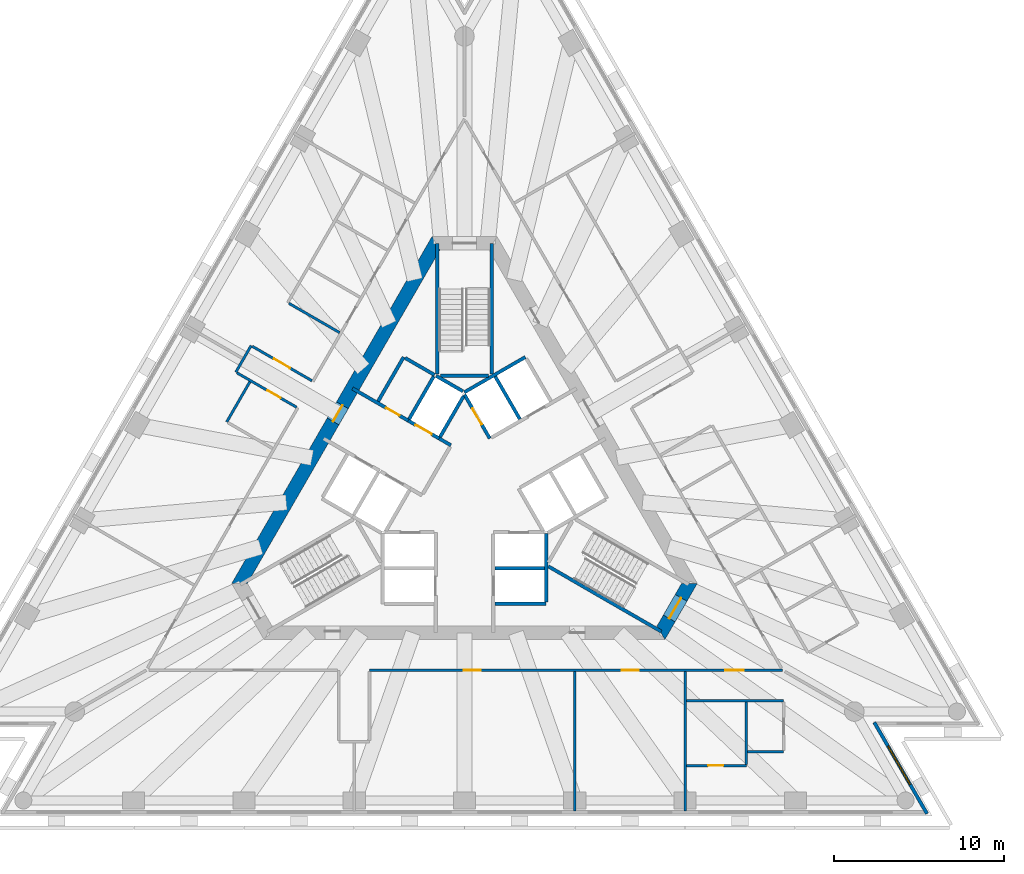
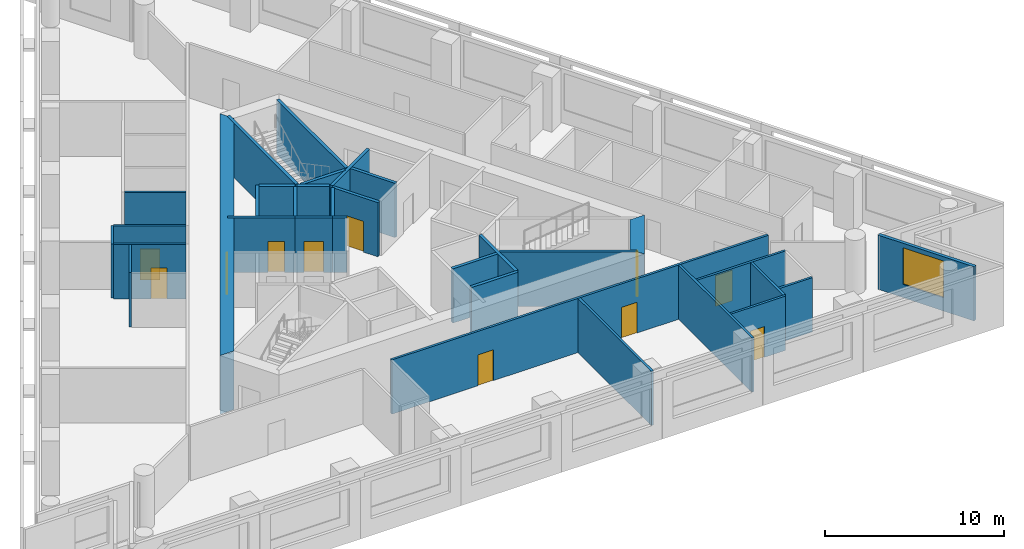
# One storey, part 4 of 9: 33 walls, 11 doors, 1 window, 12 openings.
"""IFC4 building model written with IfcOpenShell, lengths in metres."""

from ifc_helpers import new_model, si_unit, direction, frame, frame_2d, origin, place, context, subcontext, project, spatial, polyline, rectangle, outline, extrude, material, layer, layer_set, layer_usage, type_object, element, fill, save


model = new_model("IFC4")

# Units and contexts
model_context = context("Model", 3, precision=1e-05, world=origin(), true_north=direction((0.0, 1.0)))
body_context = subcontext(model_context, "Body", "Model", "MODEL_VIEW")
ifc_project = project(units=[si_unit("LENGTHUNIT", "METRE"), si_unit("AREAUNIT", "SQUARE_METRE"), si_unit("VOLUMEUNIT", "CUBIC_METRE"), si_unit("PLANEANGLEUNIT", "RADIAN"), si_unit("MASSUNIT", "GRAM", prefix="KILO")], contexts=[model_context])

# Site, building, storey
site_placement = place(None, origin())
site = spatial("IfcSite", under=ifc_project, at=site_placement, CompositionType="ELEMENT")
building_placement = place(site_placement, origin())
building = spatial("IfcBuilding", under=site, at=building_placement, Name="Triada Interchange Tower", CompositionType="ELEMENT")
storey_placement = place(building_placement, frame((0.0, 0.0, 172.300048828125)))
storey = spatial("IfcBuildingStorey", under=building, at=storey_placement, Name="L40", CompositionType="ELEMENT", Elevation=172.300048828125)

# Walls
ifc_material_1 = material(Name="Concrete C30/37", Category="concrete")
ifc_layer_1 = layer(ifc_material_1, 0.199951171875)
ifc_layer_set_1 = layer_set([ifc_layer_1], Name="CORE WALL 200 EI 120")
wall_type_1 = type_object("IfcWallType", Name="CORE WALL 200 EI 120", PredefinedType="SOLIDWALL", material=ifc_layer_set_1)
wall_1_placement = place(storey_placement, frame((1.800048828125, -6.89990234375, 0.0), z_axis=(0.0, 0.0, 1.0), x_axis=(1.0, 0.0, 0.0)))
element("IfcWall", 1, at=wall_1_placement, inside=storey, type_object=wall_type_1, Name="Wall L38 52", PredefinedType="SOLIDWALL", context=body_context, shape_type="SweptSolid", body=[
    extrude(rectangle(XDim=3.0, YDim=0.199951171875, at=frame_2d((1.5, 0.0))), origin(), (0.0, 0.0, 1.0), 3.699951171875),
])
wall_2_placement = place(storey_placement, frame((1.800048828125, -4.800048828125, 0.0), z_axis=(0.0, 0.0, 1.0), x_axis=(1.0, 0.0, 0.0)))
element("IfcWall", 2, at=wall_2_placement, inside=storey, type_object=wall_type_1, Name="Wall L38 54", PredefinedType="SOLIDWALL", context=body_context, shape_type="SweptSolid", body=[
    extrude(rectangle(XDim=2.89990234375, YDim=0.199951171875, at=frame_2d((1.449951171875, 0.0))), origin(), (0.0, 0.0, 1.0), 3.699951171875),
])
wall_3_placement = place(storey_placement, frame((-0.001953125, 5.5419921875, 0.0), z_axis=(0.0, 0.0, 1.0), x_axis=(0.866103910842, 0.499863997127, 0.0)))
element("IfcWall", 3, at=wall_3_placement, inside=storey, type_object=wall_type_1, Name="Wall L38 58", PredefinedType="SOLIDWALL", context=body_context, shape_type="SweptSolid", body=[
    extrude(rectangle(XDim=4.131103515625, YDim=0.199951171875, at=frame_2d((2.0654296875, 0.0))), origin(), (0.0, 0.0, 1.0), 3.699951171875),
])

# Wall, opening, door
wall_4_placement = place(storey_placement, frame((0.0, 5.39990234375, 0.0), z_axis=(0.0, 0.0, 1.0), x_axis=(0.500103862429, -0.865965430478, 0.0)))
wall_4 = element("IfcWall", 4, at=wall_4_placement, inside=storey, type_object=wall_type_1, Name="Wall L38 59", PredefinedType="SOLIDWALL", context=body_context, shape_type="SweptSolid", body=[
    extrude(rectangle(XDim=2.973388671875, YDim=0.199951171875, at=frame_2d((1.48681640625, 0.0))), origin(), (0.0, 0.0, 1.0), 3.699951171875),
])
opening_1_placement = place(wall_4_placement, frame((0.93701171875, 0.0, 0.0)))
opening_1 = element("IfcOpeningElement", 5, at=opening_1_placement, cuts=wall_4, Name="Opening LD-LR5", PredefinedType="OPENING", context=body_context, shape_type="SweptSolid", body=[
    extrude(rectangle(XDim=1.10009765625, YDim=2.10009765625, at=frame_2d((0.550048828125, 1.050048828125))), frame((0.0, 0.10986328125, 0.0), z_axis=(0.0, -1.0, 0.0), x_axis=(1.0, 0.0, 0.0)), (0.0, 0.0, 1.0), 0.219970703125),
])
ifc_material_2 = material(Name="Steel S235 door leaf", Category="steel")
door_type_1 = type_object("IfcDoorType", Name="LIFT LANDING DOOR 1100 EI 120", OperationType="SLIDING_TO_LEFT", PredefinedType="DOOR", material=ifc_material_2)
door_1_placement = place(opening_1_placement, origin())
door_1 = element("IfcDoor", 6, at=door_1_placement, inside=storey, type_object=door_type_1, Name="LR5 landing door L40", OperationType="SLIDING_TO_LEFT", OverallHeight=2.10009765625, OverallWidth=1.10009765625, PredefinedType="DOOR", context=body_context, shape_type="SweptSolid", body=[
    extrude(rectangle(XDim=1.10009765625, YDim=2.10009765625, at=frame_2d((0.550048828125, 1.050048828125))), frame((0.0, 0.02490234375, 0.0), z_axis=(0.0, -1.0, 0.0), x_axis=(1.0, 0.0, 0.0)), (0.0, 0.0, 1.0), 0.050048828125),
])
fill(opening_1, door_1)

# Walls
wall_5_placement = place(storey_placement, frame((4.800048828125, -6.800048828125, 0.0), z_axis=(0.0, 0.0, 1.0), x_axis=(0.0, 1.0, 0.0)))
element("IfcWall", 7, at=wall_5_placement, inside=storey, type_object=wall_type_1, Name="Wall L38 63", PredefinedType="SOLIDWALL", context=body_context, shape_type="SweptSolid", body=[
    extrude(rectangle(XDim=4.029052734375, YDim=0.199951171875, at=frame_2d((2.0146484375, 0.0))), origin(), (0.0, 0.0, 1.0), 3.699951171875),
])
wall_6_placement = place(storey_placement, frame((1.806884765625, 6.469970703125, 0.0), z_axis=(0.0, 0.0, 1.0), x_axis=(0.50012328804, -0.865954211699, 0.0)))
element("IfcWall", 8, at=wall_6_placement, inside=storey, type_object=wall_type_1, Name="Wall L38 66", PredefinedType="SOLIDWALL", context=body_context, shape_type="SweptSolid", body=[
    extrude(rectangle(XDim=2.899658203125, YDim=0.199951171875, at=frame_2d((1.44970703125, 0.0))), origin(), (0.0, 0.0, 1.0), 3.699951171875),
])

# Wall, opening, door
ifc_layer_2 = layer(ifc_material_1, 0.199951171875)
ifc_layer_set_2 = layer_set([ifc_layer_2], Name="CORE WALL 200 EI 180")
wall_type_2 = type_object("IfcWallType", Name="CORE WALL 200 EI 180", PredefinedType="SOLIDWALL", material=ifc_layer_set_2)
wall_7_placement = place(storey_placement, frame((-6.580078125, 5.761962890625, 0.0), z_axis=(0.0, 0.0, 1.0), x_axis=(0.866029704776, -0.49999255039, 0.0)))
wall_7 = element("IfcWall", 9, at=wall_7_placement, inside=storey, type_object=wall_type_2, Name="Wall L38 72", PredefinedType="SOLIDWALL", context=body_context, shape_type="SweptSolid", body=[
    extrude(rectangle(XDim=3.78173828125, YDim=0.199951171875, at=frame_2d((1.890869140625, 0.0))), origin(), (0.0, 0.0, 1.0), 3.699951171875),
])
opening_2_placement = place(wall_7_placement, frame((2.279052734375, 0.0, 0.0)))
opening_2 = element("IfcOpeningElement", 10, at=opening_2_placement, cuts=wall_7, Name="Opening D38-10", PredefinedType="OPENING", context=body_context, shape_type="SweptSolid", body=[
    extrude(rectangle(XDim=0.89990234375, YDim=2.10009765625, at=frame_2d((0.449951171875, 1.050048828125))), frame((0.0, 0.10986328125, 0.0), z_axis=(0.0, -1.0, 0.0), x_axis=(1.0, 0.0, 0.0)), (0.0, 0.0, 1.0), 0.219970703125),
])
door_type_2 = type_object("IfcDoorType", Name="SERVICE DOOR 900 EI2 90-C5S200", OperationType="NOTDEFINED", PredefinedType="DOOR", material=ifc_material_2)
door_2_placement = place(opening_2_placement, origin())
door_2 = element("IfcDoor", 11, at=door_2_placement, inside=storey, type_object=door_type_2, Name="Door D38-10 L40", OperationType="SINGLE_SWING_LEFT", OverallHeight=2.10009765625, OverallWidth=0.89990234375, PredefinedType="DOOR", context=body_context, shape_type="SweptSolid", body=[
    extrude(rectangle(XDim=0.89990234375, YDim=2.10009765625, at=frame_2d((0.449951171875, 1.050048828125))), frame((0.0, 0.02490234375, 0.0), z_axis=(0.0, -1.0, 0.0), x_axis=(1.0, 0.0, 0.0)), (0.0, 0.0, 1.0), 0.050048828125),
])
fill(opening_2, door_2)

# Walls
wall_8_placement = place(storey_placement, frame((-1.488037109375, 2.822021484375, 0.0), z_axis=(0.0, 0.0, 1.0), x_axis=(0.866236612152, -0.499633997809, 0.0)))
element("IfcWall", 12, at=wall_8_placement, inside=storey, type_object=wall_type_2, Name="Wall L38 73", PredefinedType="SOLIDWALL", context=body_context, shape_type="SweptSolid", body=[
    extrude(rectangle(XDim=0.79638671875, YDim=0.199951171875, at=frame_2d((0.398193359375, 0.0))), origin(), (0.0, 0.0, 1.0), 3.699951171875),
])
wall_9_placement = place(storey_placement, frame((-5.075927734375, 5.009033203125, 0.0), z_axis=(0.0, 0.0, 1.0), x_axis=(0.50002537861, 0.866010750942, 0.0)))
element("IfcWall", 13, at=wall_9_placement, inside=storey, type_object=wall_type_2, Name="Wall L38 74", PredefinedType="SOLIDWALL", context=body_context, shape_type="SweptSolid", body=[
    extrude(rectangle(XDim=2.999755859375, YDim=0.199951171875, at=frame_2d((1.5, 0.0))), origin(), (0.0, 0.0, 1.0), 3.699951171875),
])
wall_10_placement = place(storey_placement, frame((-3.489013671875, 7.556884765625, 0.0), z_axis=(0.0, 0.0, 1.0), x_axis=(0.866010750942, -0.50002537861, 0.0)))
element("IfcWall", 14, at=wall_10_placement, inside=storey, type_object=wall_type_2, Name="Wall L38 75", PredefinedType="SOLIDWALL", context=body_context, shape_type="SweptSolid", body=[
    extrude(rectangle(XDim=2.0, YDim=0.199951171875, at=frame_2d((1.0, 0.0))), origin(), (0.0, 0.0, 1.0), 3.699951171875),
])

# Wall, opening, door
wall_11_placement = place(storey_placement, frame((-3.30908203125, 3.873046875, 0.0), z_axis=(0.0, 0.0, 1.0), x_axis=(0.866098583652, -0.499873227325, 0.0)))
wall_11 = element("IfcWall", 15, at=wall_11_placement, inside=storey, type_object=wall_type_2, Name="Shaft wall FF2 L38 81", PredefinedType="SOLIDWALL", context=body_context, shape_type="SweptSolid", body=[
    extrude(rectangle(XDim=2.1025390625, YDim=0.199951171875, at=frame_2d((1.05126953125, 0.0))), origin(), (0.0, 0.0, 1.0), 3.699951171875),
])
opening_3_placement = place(wall_11_placement, frame((0.501953125, 0.0, 0.0)))
opening_3 = element("IfcOpeningElement", 16, at=opening_3_placement, cuts=wall_11, Name="Opening LD-FF2", PredefinedType="OPENING", context=body_context, shape_type="SweptSolid", body=[
    extrude(rectangle(XDim=1.10009765625, YDim=2.10009765625, at=frame_2d((0.550048828125, 1.050048828125))), frame((0.0, 0.10986328125, 0.0), z_axis=(0.0, -1.0, 0.0), x_axis=(1.0, 0.0, 0.0)), (0.0, 0.0, 1.0), 0.219970703125),
])
door_3_placement = place(opening_3_placement, origin())
door_3 = element("IfcDoor", 17, at=door_3_placement, inside=storey, type_object=door_type_1, Name="FF2 landing door L40", OperationType="SLIDING_TO_LEFT", OverallHeight=2.10009765625, OverallWidth=1.10009765625, PredefinedType="DOOR", context=body_context, shape_type="SweptSolid", body=[
    extrude(rectangle(XDim=1.10009765625, YDim=2.10009765625, at=frame_2d((0.550048828125, 1.050048828125))), frame((0.0, 0.02490234375, 0.0), z_axis=(0.0, -1.0, 0.0), x_axis=(1.0, 0.0, 0.0)), (0.0, 0.0, 1.0), 0.050048828125),
])
fill(opening_3, door_3)

# Walls
wall_12_placement = place(storey_placement, frame((-3.257080078125, 3.958984375, 0.0), z_axis=(0.0, 0.0, 1.0), x_axis=(0.50012328804, 0.865954211699, 0.0)))
element("IfcWall", 18, at=wall_12_placement, inside=storey, type_object=wall_type_2, Name="Shaft wall FF2 L38 82", PredefinedType="SOLIDWALL", context=body_context, shape_type="SweptSolid", body=[
    extrude(rectangle(XDim=2.899658203125, YDim=0.199951171875, at=frame_2d((1.44970703125, 0.0))), origin(), (0.0, 0.0, 1.0), 3.699951171875),
])
wall_13_placement = place(storey_placement, frame((-1.669921875, 6.507080078125, 0.0), z_axis=(0.0, 0.0, 1.0), x_axis=(0.865941441609, -0.500145398563, 0.0)))
element("IfcWall", 19, at=wall_13_placement, inside=storey, type_object=wall_type_2, Name="Shaft wall FF2 L38 83", PredefinedType="SOLIDWALL", context=body_context, shape_type="SweptSolid", body=[
    extrude(rectangle(XDim=1.8154296875, YDim=0.199951171875, at=frame_2d((0.90771484375, 0.0))), origin(), (0.0, 0.0, 1.0), 3.699951171875),
])
wall_14_placement = place(storey_placement, frame((-1.43798828125, 2.908935546875, 0.0), z_axis=(0.0, 0.0, 1.0), x_axis=(0.499829630636, 0.866123744241, 0.0)))
element("IfcWall", 20, at=wall_14_placement, inside=storey, type_object=wall_type_2, Name="Shaft wall FF2 L38 84", PredefinedType="SOLIDWALL", context=body_context, shape_type="SweptSolid", body=[
    extrude(rectangle(XDim=2.7607421875, YDim=0.199951171875, at=frame_2d((1.38037109375, 0.0))), origin(), (0.0, 0.0, 1.0), 3.699951171875),
])
ifc_layer_3 = layer(ifc_material_1, 0.199951171875)
ifc_layer_set_3 = layer_set([ifc_layer_3], Name="CORE WALL 200 REI 240")
wall_type_3 = type_object("IfcWallType", Name="CORE WALL 200 REI 240", PredefinedType="SOLIDWALL", material=ifc_layer_set_3)
wall_15_placement = place(storey_placement, frame((1.60009765625, 6.614990234375, 0.0), z_axis=(0.0, 0.0, 1.0), x_axis=(0.0, 1.0, 0.0)))
element("IfcWall", 21, at=wall_15_placement, inside=storey, type_object=wall_type_3, Name="Wall L38 88", PredefinedType="SOLIDWALL", context=body_context, shape_type="SweptSolid", body=[
    extrude(rectangle(XDim=7.6650390625, YDim=0.199951171875, at=frame_2d((3.83251953125, 0.0))), origin(), (0.0, 0.0, 1.0), 3.699951171875),
])
wall_16_placement = place(storey_placement, frame((-1.39990234375, 6.5, 0.0), z_axis=(0.0, 0.0, 1.0), x_axis=(1.0, 0.0, 0.0)))
element("IfcWall", 22, at=wall_16_placement, inside=storey, type_object=wall_type_3, Name="Wall L38 89", PredefinedType="SOLIDWALL", context=body_context, shape_type="SweptSolid", body=[
    extrude(rectangle(XDim=2.7998046875, YDim=0.199951171875, at=frame_2d((1.39990234375, 0.0))), origin(), (0.0, 0.0, 1.0), 3.699951171875),
])
for number, where, z_axis, x_axis, name in (
    (23, (-1.60009765625, 6.614990234375, 0.0), (0.0, 0.0, 1.0), (0.0, 1.0, 0.0), "Wall L38 90"),
    (24, (4.928955078125, -4.693115234375, 0.0), (0.0, 0.0, 1.0), (0.866005769735, -0.50003400563, 0.0), "Wall L38 91"),
):
    element("IfcWall", number, at=place(storey_placement, frame(where, z_axis=z_axis, x_axis=x_axis)), inside=storey, type_object=wall_type_3, Name=name, PredefinedType="SOLIDWALL", context=body_context, shape_type="SweptSolid", body=[
        extrude(rectangle(XDim=7.6650390625, YDim=0.199951171875, at=frame_2d((3.83251953125, 0.0))), origin(), (0.0, 0.0, 1.0), 3.699951171875),
    ])

# Wall, opening, door
ifc_material_3 = material(Name="Concrete C60/75", Category="concrete")
ifc_layer_4 = layer(ifc_material_3, 0.800048828125)
ifc_layer_set_4 = layer_set([ifc_layer_4], Name="Core wall B 800")
wall_type_4 = type_object("IfcWallType", Name="Core wall B 800", PredefinedType="SHEAR", material=ifc_layer_set_4)
wall_17_placement = place(storey_placement, frame((-1.674072265625, 14.300048828125, -0.300048828125), z_axis=(0.0, 0.0, 1.0), x_axis=(-0.499995765644, -0.866027848477, 0.0)))
wall_17 = element("IfcWall", 25, at=wall_17_placement, inside=storey, type_object=wall_type_4, Name="Core wall WB02 L40", PredefinedType="SHEAR", context=body_context, shape_type="SweptSolid", body=[
    extrude(outline(polyline([(-0.23095703125, -0.39990234375), (1.73193359375, -0.39990234375), (3.695068359375, -0.39990234375), (5.657958984375, -0.39990234375), (7.62109375, -0.39990234375), (9.583984375, -0.39990234375), (11.546875, -0.39990234375), (13.510009765625, -0.39990234375), (15.472900390625, -0.39990234375), (17.43603515625, -0.39990234375), (19.39892578125, -0.39990234375), (21.362060546875, -0.39990234375), (23.324951171875, -0.39990234375), (22.863037109375, 0.39990234375), (20.97705078125, 0.39990234375), (19.091064453125, 0.39990234375), (17.205078125, 0.39990234375), (15.319091796875, 0.39990234375), (13.43310546875, 0.39990234375), (11.546875, 0.39990234375), (9.660888671875, 0.39990234375), (7.77490234375, 0.39990234375), (5.888916015625, 0.39990234375), (4.0029296875, 0.39990234375), (2.116943359375, 0.39990234375), (0.23095703125, 0.39990234375), (-0.23095703125, -0.39990234375)])), origin(), (0.0, 0.0, 1.0), 4.0),
])
opening_4_placement = place(wall_17_placement, frame((10.9970703125, 0.0, 0.300048828125)))
opening_4 = element("IfcOpeningElement", 26, at=opening_4_placement, cuts=wall_17, Name="Opening D38-39", PredefinedType="OPENING", context=body_context, shape_type="SweptSolid", body=[
    extrude(rectangle(XDim=1.10009765625, YDim=2.10009765625, at=frame_2d((0.550048828125, 1.050048828125))), frame((0.0, 0.409912109375, 0.0), z_axis=(0.0, -1.0, 0.0), x_axis=(1.0, 0.0, 0.0)), (0.0, 0.0, 1.0), 0.820068359375),
])
door_type_3 = type_object("IfcDoorType", Name="FIRE LOBBY DOOR 1100 EI2 90-C5S200", OperationType="NOTDEFINED", PredefinedType="DOOR", material=ifc_material_2)
door_4_placement = place(opening_4_placement, origin())
door_4 = element("IfcDoor", 27, at=door_4_placement, inside=storey, type_object=door_type_3, Name="Door D38-39 L40", OperationType="SINGLE_SWING_LEFT", OverallHeight=2.10009765625, OverallWidth=1.10009765625, PredefinedType="DOOR", context=body_context, shape_type="SweptSolid", body=[
    extrude(rectangle(XDim=1.10009765625, YDim=2.10009765625, at=frame_2d((0.550048828125, 1.050048828125))), frame((0.0, 0.02490234375, 0.0), z_axis=(0.0, -1.0, 0.0), x_axis=(1.0, 0.0, 0.0)), (0.0, 0.0, 1.0), 0.050048828125),
])
fill(opening_4, door_4)

wall_18_placement = place(storey_placement, frame((11.547119140625, -8.60009765625, -0.300048828125), z_axis=(0.0, 0.0, 1.0), x_axis=(0.49987182685, 0.866099391942, 0.0)))
wall_18 = element("IfcWall", 28, at=wall_18_placement, inside=storey, type_object=wall_type_4, Name="Core wall WB05 L40", PredefinedType="SHEAR", context=body_context, shape_type="SweptSolid", body=[
    extrude(outline(polyline([(-0.23095703125, -0.39990234375), (1.674072265625, -0.39990234375), (3.5791015625, -0.39990234375), (3.117919921875, 0.39990234375), (1.67431640625, 0.39990234375), (0.23095703125, 0.39990234375), (-0.23095703125, -0.39990234375)])), origin(), (0.0, 0.0, 1.0), 4.0),
])
opening_5_placement = place(wall_18_placement, frame((0.97412109375, 0.0, 0.300048828125)))
opening_5 = element("IfcOpeningElement", 29, at=opening_5_placement, cuts=wall_18, Name="Opening D38-38", PredefinedType="OPENING", context=body_context, shape_type="SweptSolid", body=[
    extrude(rectangle(XDim=1.39990234375, YDim=2.10009765625, at=frame_2d((0.699951171875, 1.050048828125))), frame((0.0, 0.409912109375, 0.0), z_axis=(0.0, -1.0, 0.0), x_axis=(1.0, 0.0, 0.0)), (0.0, 0.0, 1.0), 0.820068359375),
])
door_type_4 = type_object("IfcDoorType", Name="STAIR DOOR 1400 EI2 90-C5S200", OperationType="DOUBLE_DOOR_SINGLE_SWING", PredefinedType="DOOR", material=ifc_material_2)
door_5_placement = place(opening_5_placement, origin())
door_5 = element("IfcDoor", 30, at=door_5_placement, inside=storey, type_object=door_type_4, Name="Door D38-38 L40", OperationType="DOUBLE_DOOR_SINGLE_SWING", OverallHeight=2.10009765625, OverallWidth=1.39990234375, PredefinedType="DOOR", context=body_context, shape_type="SweptSolid", body=[
    extrude(rectangle(XDim=1.39990234375, YDim=2.10009765625, at=frame_2d((0.699951171875, 1.050048828125))), frame((0.0, 0.02490234375, 0.0), z_axis=(0.0, -1.0, 0.0), x_axis=(1.0, 0.0, 0.0)), (0.0, 0.0, 1.0), 0.050048828125),
])
fill(opening_5, door_5)

# Wall, opening, window
ifc_material_4 = material(Name="Cement board")
ifc_layer_5 = layer(ifc_material_4, 0.02001953125, Name="Cement board cladding")
ifc_material_5 = material(Name="Sheathing board")
ifc_layer_6 = layer(ifc_material_5, 0.014892578125, Name="Sheathing board")
ifc_material_6 = material(Name="Mineral wool")
ifc_layer_7 = layer(ifc_material_6, 0.14990234375, Name="Mineral wool between steel studs")
ifc_material_7 = material(Name="Gypsum board")
ifc_layer_8 = layer(ifc_material_7, 0.014892578125, Name="Plasterboard lining")
ifc_layer_set_5 = layer_set([ifc_layer_5, ifc_layer_6, ifc_layer_7, ifc_layer_8], Name="External wall 200")
ifc_layer_usage = layer_usage(ifc_layer_set_5, "AXIS2", "POSITIVE", -0.10009765625)
wall_type_5 = type_object("IfcWallType", Name="External wall 200", PredefinedType="ELEMENTEDWALL", material=ifc_layer_set_5)
wall_19_placement = place(storey_placement, frame((27.18701171875, -19.23193359375, 0.0), z_axis=(0.0, 0.0, 1.0), x_axis=(-0.499932836684, 0.86606417707, 0.0)))
wall_19 = element("IfcWall", 31, at=wall_19_placement, inside=storey, type_object=wall_type_5, material=ifc_layer_usage, Name="External wall L40 SE-1", PredefinedType="ELEMENTEDWALL", context=body_context, shape_type="SweptSolid", body=[
    extrude(rectangle(XDim=6.194580078125, YDim=0.199951171875, at=frame_2d((3.09716796875, 0.0))), origin(), (0.0, 0.0, 1.0), 3.699951171875),
])
opening_6_placement = place(wall_19_placement, frame((1.989990234375, 0.0, 0.89990234375)))
opening_6 = element("IfcOpeningElement", 32, at=opening_6_placement, cuts=wall_19, Name="Opening WB19", PredefinedType="OPENING", context=body_context, shape_type="SweptSolid", body=[
    extrude(rectangle(XDim=2.60009765625, YDim=2.5, at=frame_2d((1.300048828125, 1.25))), frame((0.0, 0.10986328125, 0.0), z_axis=(0.0, -1.0, 0.0), x_axis=(1.0, 0.0, 0.0)), (0.0, 0.0, 1.0), 0.219970703125),
])
ifc_material_8 = material(Name="Double glazed aluminium window", Category="aluminium")
window_type = type_object("IfcWindowType", Name="Ribbon window B pocket", PartitioningType="SINGLE_PANEL", PredefinedType="WINDOW", material=ifc_material_8)
window_placement = place(opening_6_placement, origin())
window = element("IfcWindow", 33, at=window_placement, inside=storey, type_object=window_type, Name="Window L40 SE-1 1", OverallHeight=2.5, OverallWidth=2.60009765625, PartitioningType="SINGLE_PANEL", PredefinedType="WINDOW", context=body_context, shape_type="SweptSolid", body=[
    extrude(rectangle(XDim=2.60009765625, YDim=2.5, at=frame_2d((1.300048828125, 1.25))), frame((0.0, 0.030029296875, 0.0), z_axis=(0.0, -1.0, 0.0), x_axis=(1.0, 0.0, 0.0)), (0.0, 0.0, 1.0), 0.06005859375),
])
fill(opening_6, window)

# Wall, openings, doors
ifc_material_9 = material(Name="Gypsum board partition")
ifc_layer_9 = layer(ifc_material_9, 0.14990234375)
ifc_layer_set_6 = layer_set([ifc_layer_9], Name="PARTITION 150 EI 180")
wall_type_6 = type_object("IfcWallType", Name="PARTITION 150 EI 180", PredefinedType="PARTITIONING", material=ifc_layer_set_6)
wall_20_placement = place(storey_placement, frame((-5.5810546875, -10.800048828125, 0.0), z_axis=(0.0, 0.0, 1.0), x_axis=(1.0, 0.0, 0.0)))
wall_20 = element("IfcWall", 34, at=wall_20_placement, inside=storey, type_object=wall_type_6, Name="Wall L38 7", PredefinedType="PARTITIONING", context=body_context, shape_type="SweptSolid", body=[
    extrude(rectangle(XDim=24.287109375, YDim=0.14990234375, at=frame_2d((12.1435546875, 0.0))), origin(), (0.0, 0.0, 1.0), 3.699951171875),
])
opening_7_placement = place(wall_20_placement, frame((5.549072265625, 0.0, 0.0)))
opening_7 = element("IfcOpeningElement", 35, at=opening_7_placement, cuts=wall_20, Name="Opening D38-12", PredefinedType="OPENING", context=body_context, shape_type="SweptSolid", body=[
    extrude(rectangle(XDim=1.0, YDim=2.10009765625, at=frame_2d((0.5, 1.050048828125))), frame((0.0, 0.0849609375, 0.0), z_axis=(0.0, -1.0, 0.0), x_axis=(1.0, 0.0, 0.0)), (0.0, 0.0, 1.0), 0.169921875),
])
opening_8_placement = place(wall_20_placement, frame((14.81298828125, 0.0, 0.0)))
opening_8 = element("IfcOpeningElement", 36, at=opening_8_placement, cuts=wall_20, Name="Opening D38-13", PredefinedType="OPENING", context=body_context, shape_type="SweptSolid", body=[
    extrude(rectangle(XDim=1.0, YDim=2.10009765625, at=frame_2d((0.5, 1.050048828125))), frame((0.0, 0.0849609375, 0.0), z_axis=(0.0, -1.0, 0.0), x_axis=(1.0, 0.0, 0.0)), (0.0, 0.0, 1.0), 0.169921875),
])
opening_9_placement = place(wall_20_placement, frame((20.89501953125, 0.0, 0.0)))
opening_9 = element("IfcOpeningElement", 37, at=opening_9_placement, cuts=wall_20, Name="Opening D38-14", PredefinedType="OPENING", context=body_context, shape_type="SweptSolid", body=[
    extrude(rectangle(XDim=1.10009765625, YDim=2.10009765625, at=frame_2d((0.550048828125, 1.050048828125))), frame((0.0, 0.0849609375, 0.0), z_axis=(0.0, -1.0, 0.0), x_axis=(1.0, 0.0, 0.0)), (0.0, 0.0, 1.0), 0.169921875),
])
door_type_5 = type_object("IfcDoorType", Name="ROOM DOOR 1000 EI2 90-C5S200", OperationType="NOTDEFINED", PredefinedType="DOOR", material=ifc_material_2)
door_6_placement = place(opening_7_placement, origin())
door_6 = element("IfcDoor", 38, at=door_6_placement, inside=storey, type_object=door_type_5, Name="Door D38-12 L40", OperationType="SINGLE_SWING_RIGHT", OverallHeight=2.10009765625, OverallWidth=1.0, PredefinedType="DOOR", context=body_context, shape_type="SweptSolid", body=[
    extrude(rectangle(XDim=1.0, YDim=2.10009765625, at=frame_2d((0.5, 1.050048828125))), frame((0.0, 0.02490234375, 0.0), z_axis=(0.0, -1.0, 0.0), x_axis=(1.0, 0.0, 0.0)), (0.0, 0.0, 1.0), 0.050048828125),
])
fill(opening_7, door_6)
door_7_placement = place(opening_8_placement, origin())
door_7 = element("IfcDoor", 39, at=door_7_placement, inside=storey, type_object=door_type_5, Name="Door D38-13 L40", OperationType="SINGLE_SWING_RIGHT", OverallHeight=2.10009765625, OverallWidth=1.0, PredefinedType="DOOR", context=body_context, shape_type="SweptSolid", body=[
    extrude(rectangle(XDim=1.0, YDim=2.10009765625, at=frame_2d((0.5, 1.050048828125))), frame((0.0, 0.02490234375, 0.0), z_axis=(0.0, -1.0, 0.0), x_axis=(1.0, 0.0, 0.0)), (0.0, 0.0, 1.0), 0.050048828125),
])
fill(opening_8, door_7)
door_type_6 = type_object("IfcDoorType", Name="TENANCY ENTRANCE DOOR 1100 EI2 90-C5S200", OperationType="NOTDEFINED", PredefinedType="DOOR", material=ifc_material_2)
door_8_placement = place(opening_9_placement, origin())
door_8 = element("IfcDoor", 40, at=door_8_placement, inside=storey, type_object=door_type_6, Name="Door D38-14 L40", OperationType="SINGLE_SWING_LEFT", OverallHeight=2.10009765625, OverallWidth=1.10009765625, PredefinedType="DOOR", context=body_context, shape_type="SweptSolid", body=[
    extrude(rectangle(XDim=1.10009765625, YDim=2.10009765625, at=frame_2d((0.550048828125, 1.050048828125))), frame((0.0, 0.02490234375, 0.0), z_axis=(0.0, -1.0, 0.0), x_axis=(1.0, 0.0, 0.0)), (0.0, 0.0, 1.0), 0.050048828125),
])
fill(opening_9, door_8)

# Wall
wall_21_placement = place(storey_placement, frame((-13.43994140625, 6.719970703125, 0.0), z_axis=(0.0, 0.0, 1.0), x_axis=(0.499902469156, 0.866081705922, 0.0)))
element("IfcWall", 41, at=wall_21_placement, inside=storey, type_object=wall_type_6, Name="Wall L38 12", PredefinedType="PARTITIONING", context=body_context, shape_type="SweptSolid", body=[
    extrude(rectangle(XDim=1.800048828125, YDim=0.14990234375, at=frame_2d((0.89990234375, 0.0))), origin(), (0.0, 0.0, 1.0), 3.699951171875),
])

# Wall, opening, door
wall_22_placement = place(storey_placement, frame((-12.47509765625, 8.241943359375, 0.0), z_axis=(0.0, 0.0, 1.0), x_axis=(0.865955608197, -0.500120870022, 0.0)))
wall_22 = element("IfcWall", 42, at=wall_22_placement, inside=storey, type_object=wall_type_6, Name="Wall L38 13", PredefinedType="PARTITIONING", context=body_context, shape_type="SweptSolid", body=[
    extrude(rectangle(XDim=4.048828125, YDim=0.14990234375, at=frame_2d((2.0244140625, 0.0))), origin(), (0.0, 0.0, 1.0), 3.699951171875),
])
opening_10_placement = place(wall_22_placement, frame((1.47509765625, 0.0, 0.0)))
opening_10 = element("IfcOpeningElement", 43, at=opening_10_placement, cuts=wall_22, Name="Opening D38-28", PredefinedType="OPENING", context=body_context, shape_type="SweptSolid", body=[
    extrude(rectangle(XDim=1.10009765625, YDim=2.10009765625, at=frame_2d((0.550048828125, 1.050048828125))), frame((0.0, 0.0849609375, 0.0), z_axis=(0.0, -1.0, 0.0), x_axis=(1.0, 0.0, 0.0)), (0.0, 0.0, 1.0), 0.169921875),
])
door_9_placement = place(opening_10_placement, origin())
door_9 = element("IfcDoor", 44, at=door_9_placement, inside=storey, type_object=door_type_6, Name="Door D38-28 L40", OperationType="SINGLE_SWING_LEFT", OverallHeight=2.10009765625, OverallWidth=1.10009765625, PredefinedType="DOOR", context=body_context, shape_type="SweptSolid", body=[
    extrude(rectangle(XDim=1.10009765625, YDim=2.10009765625, at=frame_2d((0.550048828125, 1.050048828125))), frame((0.0, 0.02490234375, 0.0), z_axis=(0.0, -1.0, 0.0), x_axis=(1.0, 0.0, 0.0)), (0.0, 0.0, 1.0), 0.050048828125),
])
fill(opening_10, door_9)

wall_23_placement = place(storey_placement, frame((-13.375, 6.68310546875, 0.0), z_axis=(0.0, 0.0, 1.0), x_axis=(0.865929493314, -0.500166085025, 0.0)))
wall_23 = element("IfcWall", 45, at=wall_23_placement, inside=storey, type_object=wall_type_6, Name="Wall L38 14", PredefinedType="PARTITIONING", context=body_context, shape_type="SweptSolid", body=[
    extrude(rectangle(XDim=4.048828125, YDim=0.14990234375, at=frame_2d((2.0244140625, 0.0))), origin(), (0.0, 0.0, 1.0), 3.699951171875),
])
opening_11_placement = place(wall_23_placement, frame((2.074951171875, 0.0, 0.0)))
opening_11 = element("IfcOpeningElement", 46, at=opening_11_placement, cuts=wall_23, Name="Opening D38-33", PredefinedType="OPENING", context=body_context, shape_type="SweptSolid", body=[
    extrude(rectangle(XDim=0.89990234375, YDim=2.10009765625, at=frame_2d((0.449951171875, 1.050048828125))), frame((0.0, 0.0849609375, 0.0), z_axis=(0.0, -1.0, 0.0), x_axis=(1.0, 0.0, 0.0)), (0.0, 0.0, 1.0), 0.169921875),
])
door_type_7 = type_object("IfcDoorType", Name="ROOM DOOR 900 EI2 90-C5S200", OperationType="NOTDEFINED", PredefinedType="DOOR", material=ifc_material_2)
door_10_placement = place(opening_11_placement, origin())
door_10 = element("IfcDoor", 47, at=door_10_placement, inside=storey, type_object=door_type_7, Name="Door D38-33 L40", OperationType="SINGLE_SWING_RIGHT", OverallHeight=2.10009765625, OverallWidth=0.89990234375, PredefinedType="DOOR", context=body_context, shape_type="SweptSolid", body=[
    extrude(rectangle(XDim=0.89990234375, YDim=2.10009765625, at=frame_2d((0.449951171875, 1.050048828125))), frame((0.0, 0.02490234375, 0.0), z_axis=(0.0, -1.0, 0.0), x_axis=(1.0, 0.0, 0.0)), (0.0, 0.0, 1.0), 0.050048828125),
])
fill(opening_11, door_10)

# Walls
wall_24_placement = place(storey_placement, frame((-13.97412109375, 3.7958984375, 0.0), z_axis=(0.0, 0.0, 1.0), x_axis=(0.500004325324, 0.866022906543, 0.0)))
element("IfcWall", 48, at=wall_24_placement, inside=storey, type_object=wall_type_6, Name="Wall L38 15", PredefinedType="PARTITIONING", context=body_context, shape_type="SweptSolid", body=[
    extrude(rectangle(XDim=2.72412109375, YDim=0.14990234375, at=frame_2d((1.362060546875, 0.0))), origin(), (0.0, 0.0, 1.0), 3.699951171875),
])
wall_25_placement = place(storey_placement, frame((-10.323974609375, 10.76904296875, 0.0), z_axis=(0.0, 0.0, 1.0), x_axis=(0.866031223622, -0.49998991961, 0.0)))
element("IfcWall", 49, at=wall_25_placement, inside=storey, type_object=wall_type_6, Name="Wall L38 19", PredefinedType="PARTITIONING", context=body_context, shape_type="SweptSolid", body=[
    extrude(rectangle(XDim=3.4501953125, YDim=0.14990234375, at=frame_2d((1.72509765625, 0.0))), origin(), (0.0, 0.0, 1.0), 3.699951171875),
])
for number, where, z_axis, x_axis, name in (
    (50, (6.48193359375, -19.073974609375, 0.0), (0.0, 0.0, 1.0), (0.0, 1.0, 0.0), "Wall L38 30"),
    (51, (12.964111328125, -19.073974609375, 0.0), (0.0, 0.0, 1.0), (0.0, 1.0, 0.0), "Wall L38 35"),
):
    element("IfcWall", number, at=place(storey_placement, frame(where, z_axis=z_axis, x_axis=x_axis)), inside=storey, type_object=wall_type_6, Name=name, PredefinedType="PARTITIONING", context=body_context, shape_type="SweptSolid", body=[
        extrude(rectangle(XDim=8.198974609375, YDim=0.14990234375, at=frame_2d((4.099609375, 0.0))), origin(), (0.0, 0.0, 1.0), 3.699951171875),
    ])

# Wall, opening, door
ifc_layer_10 = layer(ifc_material_9, 0.14990234375)
ifc_layer_set_7 = layer_set([ifc_layer_10], Name="PARTITION 150 EI 90")
wall_type_7 = type_object("IfcWallType", Name="PARTITION 150 EI 90", PredefinedType="PARTITIONING", material=ifc_layer_set_7)
wall_26_placement = place(storey_placement, frame((13.0390625, -16.39990234375, 0.0), z_axis=(0.0, 0.0, 1.0), x_axis=(1.0, 0.0, 0.0)))
wall_26 = element("IfcWall", 52, at=wall_26_placement, inside=storey, type_object=wall_type_7, Name="Wall L38 39", PredefinedType="PARTITIONING", context=body_context, shape_type="SweptSolid", body=[
    extrude(rectangle(XDim=3.52490234375, YDim=0.14990234375, at=frame_2d((1.762451171875, 0.0))), origin(), (0.0, 0.0, 1.0), 3.699951171875),
])
opening_12_placement = place(wall_26_placement, frame((1.27490234375, 0.0, 0.0)))
opening_12 = element("IfcOpeningElement", 53, at=opening_12_placement, cuts=wall_26, Name="Opening D38-15", PredefinedType="OPENING", context=body_context, shape_type="SweptSolid", body=[
    extrude(rectangle(XDim=0.89990234375, YDim=2.10009765625, at=frame_2d((0.449951171875, 1.050048828125))), frame((0.0, 0.0849609375, 0.0), z_axis=(0.0, -1.0, 0.0), x_axis=(1.0, 0.0, 0.0)), (0.0, 0.0, 1.0), 0.169921875),
])
door_type_8 = type_object("IfcDoorType", Name="ROOM DOOR 900 EI2 45-C5S200", OperationType="NOTDEFINED", PredefinedType="DOOR", material=ifc_material_2)
door_11_placement = place(opening_12_placement, origin())
door_11 = element("IfcDoor", 54, at=door_11_placement, inside=storey, type_object=door_type_8, Name="Door D38-15 L40", OperationType="SINGLE_SWING_LEFT", OverallHeight=2.10009765625, OverallWidth=0.89990234375, PredefinedType="DOOR", context=body_context, shape_type="SweptSolid", body=[
    extrude(rectangle(XDim=0.89990234375, YDim=2.10009765625, at=frame_2d((0.449951171875, 1.050048828125))), frame((0.0, 0.02490234375, 0.0), z_axis=(0.0, -1.0, 0.0), x_axis=(1.0, 0.0, 0.0)), (0.0, 0.0, 1.0), 0.050048828125),
])
fill(opening_12, door_11)

# Walls
wall_27_placement = place(storey_placement, frame((16.56396484375, -16.324951171875, 0.0), z_axis=(0.0, 0.0, 1.0), x_axis=(0.0, 1.0, 0.0)))
element("IfcWall", 55, at=wall_27_placement, inside=storey, type_object=wall_type_7, Name="Wall L38 40", PredefinedType="PARTITIONING", context=body_context, shape_type="SweptSolid", body=[
    extrude(rectangle(XDim=3.64990234375, YDim=0.14990234375, at=frame_2d((1.824951171875, 0.0))), origin(), (0.0, 0.0, 1.0), 3.699951171875),
])
wall_28_placement = place(storey_placement, frame((13.0390625, -12.60009765625, 0.0), z_axis=(0.0, 0.0, 1.0), x_axis=(1.0, 0.0, 0.0)))
element("IfcWall", 56, at=wall_28_placement, inside=storey, type_object=wall_type_7, Name="Wall L38 41", PredefinedType="PARTITIONING", context=body_context, shape_type="SweptSolid", body=[
    extrude(rectangle(XDim=5.724853515625, YDim=0.14990234375, at=frame_2d((2.8623046875, 0.0))), origin(), (0.0, 0.0, 1.0), 3.699951171875),
])
wall_29_placement = place(storey_placement, frame((16.638916015625, -15.60009765625, 0.0), z_axis=(0.0, 0.0, 1.0), x_axis=(1.0, 0.0, 0.0)))
element("IfcWall", 57, at=wall_29_placement, inside=storey, type_object=wall_type_7, Name="Wall L38 42", PredefinedType="PARTITIONING", context=body_context, shape_type="SweptSolid", body=[
    extrude(rectangle(XDim=2.125, YDim=0.14990234375, at=frame_2d((1.0625, 0.0))), origin(), (0.0, 0.0, 1.0), 3.699951171875),
])

save(model, "model.ifc")
